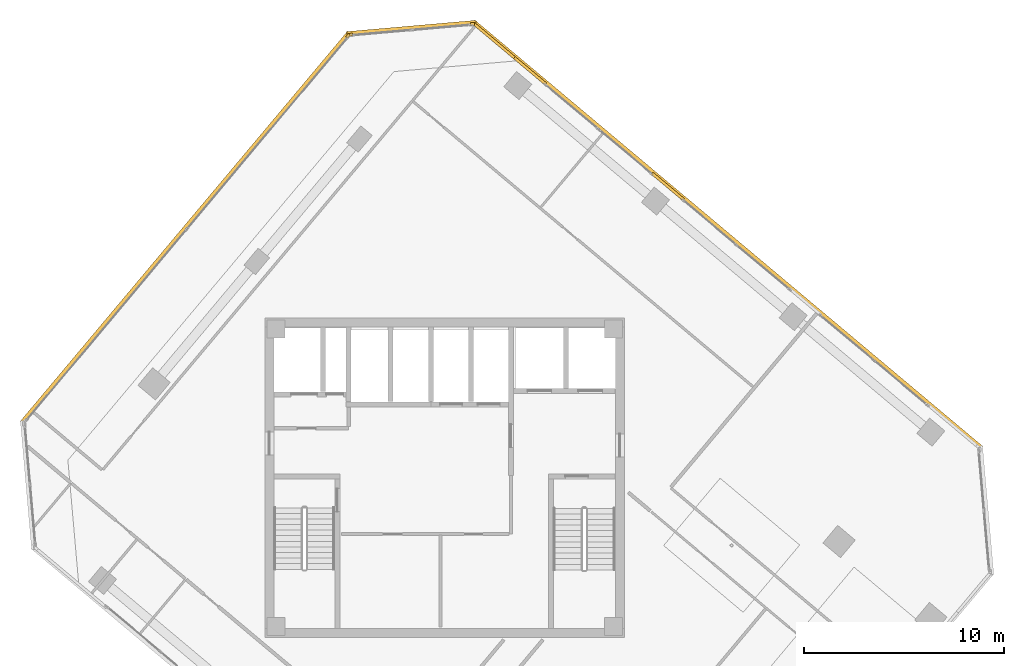
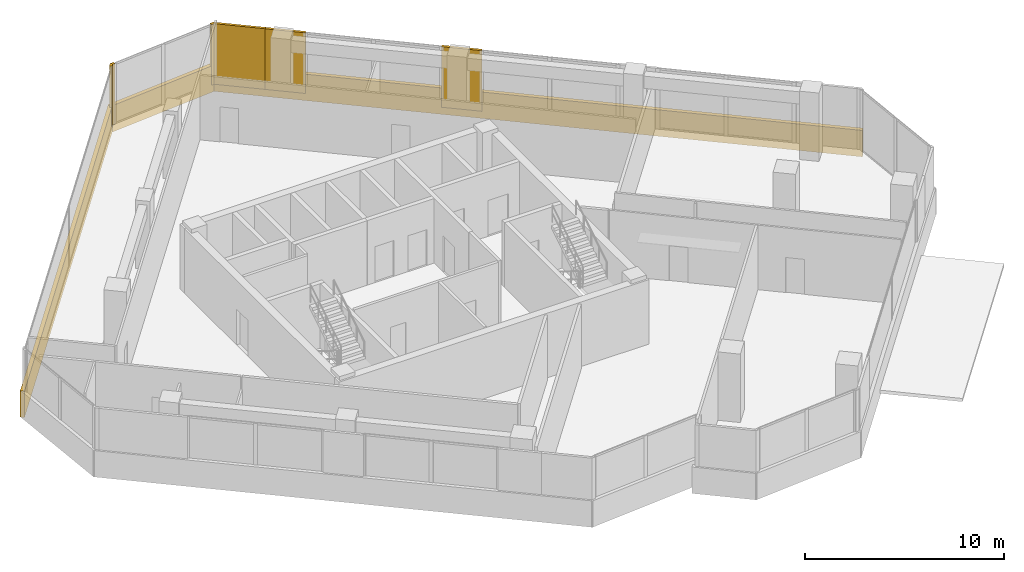
# One storey, part 17 of 17: 9 coverings.
"""IFC4 building model written with IfcOpenShell, lengths in metres."""

from ifc_helpers import new_model, si_unit, direction, frame, origin, origin_2d, place, context, subcontext, project, spatial, rectangle, extrude, source, transform, mapped, material, layer, layer_set, type_object, element, save


model = new_model("IFC4")

# Units and contexts
model_context = context("Model", 3, precision=1e-05, world=origin(), true_north=direction((0.0, 1.0)))
body_context = subcontext(model_context, "Body", "Model", "MODEL_VIEW")
ifc_project = project(units=[si_unit("LENGTHUNIT", "METRE"), si_unit("AREAUNIT", "SQUARE_METRE"), si_unit("VOLUMEUNIT", "CUBIC_METRE"), si_unit("PLANEANGLEUNIT", "RADIAN"), si_unit("MASSUNIT", "GRAM", prefix="KILO")], contexts=[model_context])

# Site, building, storey
site_placement = place(None, origin())
site = spatial("IfcSite", under=ifc_project, at=site_placement, CompositionType="ELEMENT")
building_placement = place(site_placement, origin())
building = spatial("IfcBuilding", under=site, at=building_placement, Name="Torre Montelarca", CompositionType="ELEMENT")
storey_placement = place(building_placement, frame((0.0, 0.0, 220.60009765625)))
storey = spatial("IfcBuildingStorey", under=building, at=storey_placement, Name="L49", CompositionType="ELEMENT", Elevation=220.60009765625)

# Coverings
ifc_material = material(Name="Bush-hammered warm white precast concrete C45/55", Category="concrete")
ifc_layer = layer(ifc_material, 0.139892578125, Name="Bush-hammered warm white precast concrete C45/55", Category="concrete")
ifc_layer_set = layer_set([ifc_layer], Name="Bush-hammered warm white precast concrete C45/55")
covering_type = type_object("IfcCoveringType", Name="COV-TRAY-CLAD", PredefinedType="CLADDING", material=ifc_layer_set)
shared_shape_1 = source(origin(), body_context, "Body", "SweptSolid", [
    extrude(rectangle(XDim=6.48388671875, YDim=0.219970703125, at=origin_2d()), origin(), (0.0, 0.0, 1.0), 1.6201171875),
])
covering_1_placement = place(storey_placement, frame((16.3359375, 54.515869140625, -0.4501953125), z_axis=(0.0, 0.0, 1.0), x_axis=(-0.996194089606, -0.087162697497, 0.0)))
element("IfcCovering", 1, at=covering_1_placement, inside=storey, type_object=covering_type, Name="L49 Architectural White Spandrel Tray Band TRYBOT-09", PredefinedType="CLADDING", context=body_context, shape_type="MappedRepresentation", body=[
    mapped(shared_shape_1, transform((0.0, 0.0, 0.0), scale=1.0)),
])
shared_shape_2 = source(origin(), body_context, "Body", "SweptSolid", [
    extrude(rectangle(XDim=25.52001953125, YDim=0.219970703125, at=origin_2d()), origin(), (0.0, 0.0, 1.0), 1.6201171875),
])
covering_2_placement = place(storey_placement, frame((5.023193359375, 44.5205078125, -0.4501953125), z_axis=(0.0, 0.0, 1.0), x_axis=(-0.642787609687, -0.766044443119, 0.0)))
element("IfcCovering", 2, at=covering_2_placement, inside=storey, type_object=covering_type, Name="L49 Architectural White Spandrel Tray Band TRYBOT-10", PredefinedType="CLADDING", context=body_context, shape_type="MappedRepresentation", body=[
    mapped(shared_shape_2, transform((0.0, 0.0, 0.0), scale=1.0)),
])
shared_shape_3 = source(origin(), body_context, "Body", "SweptSolid", [
    extrude(rectangle(XDim=0.199951171875, YDim=0.139892578125, at=origin_2d()), origin(), (0.0, 0.0, 1.0), 3.719970703125),
])
for number, where, z_axis, x_axis, name in (
    (3, (19.3955078125, 54.723388671875, 0.0), (0.0, 0.0, 1.0), (-0.996192872488, -0.087176606982, 0.0), "L49 Architectural Column Pier Cladding E09-1"),
    (4, (13.286865234375, 54.188720703125, 0.0), (0.0, 0.0, 1.0), (-0.996192872488, -0.087176606982, 0.0), "L49 Architectural Column Pier Cladding E09-2"),
    (5, (13.157958984375, 54.121826171875, 0.0), (0.0, 0.0, 1.0), (-0.642788946685, -0.766043321242, 0.0), "L49 Architectural Column Pier Cladding E10-1"),
):
    element("IfcCovering", number, at=place(storey_placement, frame(where, z_axis=z_axis, x_axis=x_axis)), inside=storey, type_object=covering_type, Name=name, PredefinedType="CLADDING", context=body_context, shape_type="MappedRepresentation", body=[
        mapped(shared_shape_3, transform((0.0, 0.0, 0.0), scale=1.0)),
    ])
shared_shape_4 = source(origin(), body_context, "Body", "SweptSolid", [
    extrude(rectangle(XDim=2.06005859375, YDim=0.139892578125, at=origin_2d()), origin(), (0.0, 0.0, 1.0), 3.719970703125),
])
for number, where, z_axis, x_axis, name in (
    (6, (29.17431640625, 46.5908203125, 0.0), (0.0, 0.0, 1.0), (-0.766043321242, 0.642788946685, 0.0), "L49 Architectural Column Pier Cladding E08-4"),
    (7, (22.27978515625, 52.375732421875, 0.0), (0.0, 0.0, 1.0), (-0.766043321242, 0.642788946685, 0.0), "L49 Architectural Column Pier Cladding E08-5"),
):
    element("IfcCovering", number, at=place(storey_placement, frame(where, z_axis=z_axis, x_axis=x_axis)), inside=storey, type_object=covering_type, Name=name, PredefinedType="CLADDING", context=body_context, shape_type="MappedRepresentation", body=[
        mapped(shared_shape_4, transform((0.0, 0.0, 0.0), scale=1.0)),
    ])
shared_shape_5 = source(origin(), body_context, "Body", "SweptSolid", [
    extrude(rectangle(XDim=2.754150390625, YDim=0.139892578125, at=origin_2d()), origin(), (0.0, 0.0, 1.0), 3.719970703125),
])
covering_3_placement = place(storey_placement, frame((20.512451171875, 53.85888671875, 0.0), z_axis=(0.0, 0.0, 1.0), x_axis=(-0.766043321242, 0.642788946685, 0.0)))
element("IfcCovering", 8, at=covering_3_placement, inside=storey, type_object=covering_type, Name="L49 Architectural Column Pier Cladding E08-6", PredefinedType="CLADDING", context=body_context, shape_type="MappedRepresentation", body=[
    mapped(shared_shape_5, transform((0.0, 0.0, 0.0), scale=1.0)),
])
shared_shape_6 = source(origin(), body_context, "Body", "SweptSolid", [
    extrude(rectangle(XDim=33.219970703125, YDim=0.219970703125, at=origin_2d()), origin(), (0.0, 0.0, 1.0), 1.6201171875),
])
covering_4_placement = place(storey_placement, frame((32.162109375, 44.162109375, -0.4501953125), z_axis=(0.0, 0.0, 1.0), x_axis=(-0.766044443119, 0.642787609687, 0.0)))
element("IfcCovering", 9, at=covering_4_placement, inside=storey, type_object=covering_type, Name="L49 Architectural White Spandrel Tray Band TRYBOT-08", PredefinedType="CLADDING", context=body_context, shape_type="MappedRepresentation", body=[
    mapped(shared_shape_6, transform((0.0, 0.0, 0.0), scale=1.0)),
])

save(model, "model.ifc")
